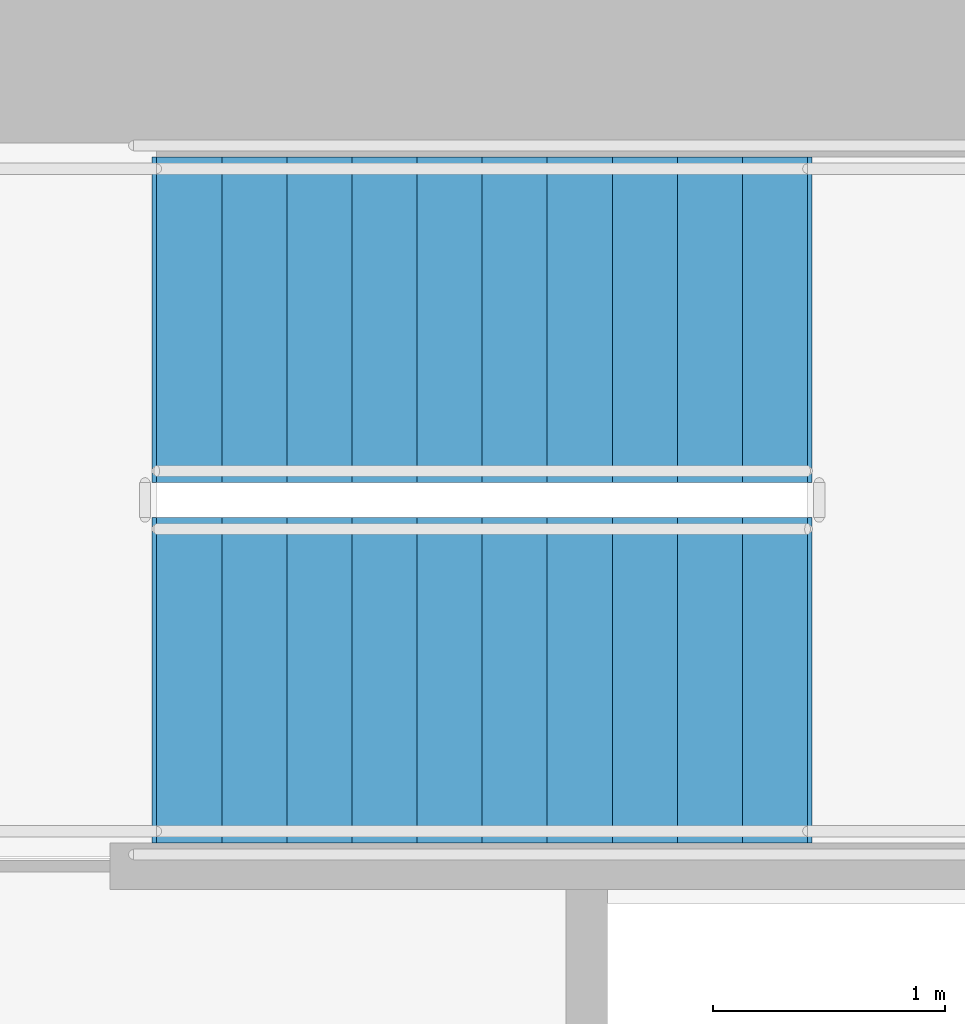
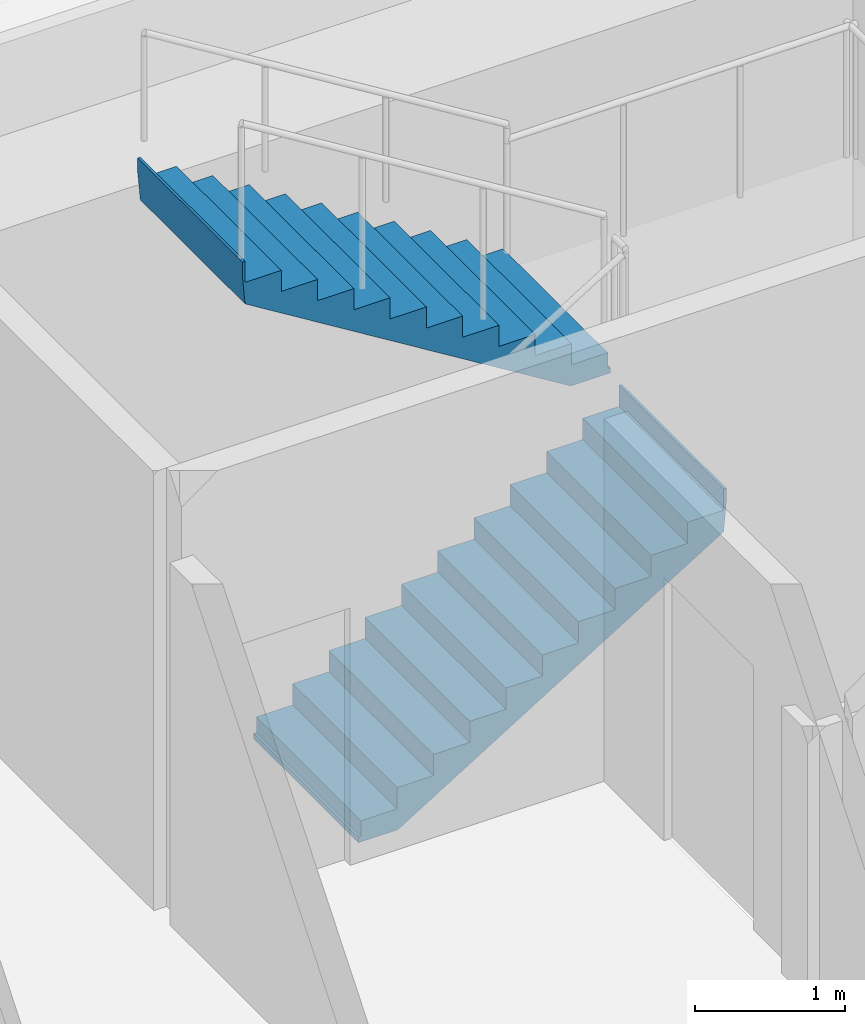
# One storey, part 11 of 17: 2 stair flights, 1 element without a shape of its own.
"""IFC4 building model written with IfcOpenShell, lengths in metres."""

from ifc_helpers import new_model, si_unit, direction, frame, origin, place, context, subcontext, project, spatial, polyline, outline, extrude, material, type_object, element, aggregate, save


model = new_model("IFC4")

# Units and contexts
model_context = context("Model", 3, precision=1e-05, world=origin(), true_north=direction((0.0, 1.0)))
body_context = subcontext(model_context, "Body", "Model", "MODEL_VIEW")
ifc_project = project(units=[si_unit("LENGTHUNIT", "METRE"), si_unit("AREAUNIT", "SQUARE_METRE"), si_unit("VOLUMEUNIT", "CUBIC_METRE"), si_unit("PLANEANGLEUNIT", "RADIAN"), si_unit("MASSUNIT", "GRAM", prefix="KILO")], contexts=[model_context])

# Site, building, storey
site_placement = place(None, origin())
site = spatial("IfcSite", under=ifc_project, at=site_placement, CompositionType="ELEMENT")
building_placement = place(site_placement, origin())
building = spatial("IfcBuilding", under=site, at=building_placement, Name="Valkerne Bourse Tower", CompositionType="ELEMENT")
storey_placement = place(building_placement, frame((0.0, 0.0, 85.800048828125)))
storey = spatial("IfcBuildingStorey", under=building, at=storey_placement, Name="L21", CompositionType="ELEMENT", Elevation=85.800048828125)

# Stair, stair flights
ifc_material = material(Name="Concrete C40/50", Category="concrete")
stair_type = type_object("IfcStairType", Name="ST-CORE-1400", PredefinedType="HALF_TURN_STAIR", material=ifc_material)
stair_placement = place(storey_placement, origin())
stair = element("IfcStair", 1, at=stair_placement, inside=storey, type_object=stair_type, Name="L21 ST-2", PredefinedType="HALF_TURN_STAIR")
stair_flight_type = type_object("IfcStairFlightType", Name="STF-CORE-1400", PredefinedType="STRAIGHT", material=ifc_material)
stair_flight_1_placement = place(storey_placement, frame((48.14990234375, 32.89990234375, 0.0), z_axis=(0.0, 0.0, 1.0), x_axis=(1.0, 0.0, 0.0)))
stair_flight_1 = element("IfcStairFlight", 2, at=stair_flight_1_placement, type_object=stair_flight_type, Name="ST-2 flight 1", NumberOfRisers=11, NumberOfTreads=10, PredefinedType="STRAIGHT", RiserHeight=0.172727273, TreadLength=0.28, context=body_context, shape_type="SweptSolid", body=[
    extrude(outline(polyline([(-0.02001953125, 0.0), (-0.02001953125, 0.044921875), (0.0, 0.044921875), (0.0, 0.172607421875), (0.280029296875, 0.172607421875), (0.280029296875, 0.345458984375), (0.56005859375, 0.345458984375), (0.56005859375, 0.51806640625), (0.840087890625, 0.51806640625), (0.840087890625, 0.69091796875), (1.1201171875, 0.69091796875), (1.1201171875, 0.863525390625), (1.39990234375, 0.863525390625), (1.39990234375, 1.036376953125), (1.679931640625, 1.036376953125), (1.679931640625, 1.208984375), (1.9599609375, 1.208984375), (1.9599609375, 1.3818359375), (2.239990234375, 1.3818359375), (2.239990234375, 1.554443359375), (2.52001953125, 1.554443359375), (2.52001953125, 1.727294921875), (2.800048828125, 1.727294921875), (2.800048828125, 1.89990234375), (2.820068359375, 1.89990234375), (2.820068359375, 1.780029296875), (2.800048828125, 1.551025390625), (0.285400390625, 0.0), (-0.02001953125, 0.0)])), frame((0.0, 0.699951171875, 0.0), z_axis=(0.0, -1.0, 0.0), x_axis=(1.0, 0.0, 0.0)), (0.0, 0.0, 1.0), 1.39990234375),
])
stair_flight_2_placement = place(storey_placement, frame((50.949951171875, 34.449951171875, 1.89990234375), z_axis=(0.0, 0.0, 1.0), x_axis=(-1.0, 0.0, 0.0)))
stair_flight_2 = element("IfcStairFlight", 3, at=stair_flight_2_placement, type_object=stair_flight_type, Name="ST-2 flight 2", NumberOfRisers=11, NumberOfTreads=10, PredefinedType="STRAIGHT", RiserHeight=0.172727273, TreadLength=0.28, context=body_context, shape_type="SweptSolid", body=[
    extrude(outline(polyline([(-0.02001953125, 0.0), (-0.02001953125, 0.044921875), (0.0, 0.044921875), (0.0, 0.172607421875), (0.280029296875, 0.172607421875), (0.280029296875, 0.345458984375), (0.56005859375, 0.345458984375), (0.56005859375, 0.51806640625), (0.840087890625, 0.51806640625), (0.840087890625, 0.69091796875), (1.1201171875, 0.69091796875), (1.1201171875, 0.863525390625), (1.39990234375, 0.863525390625), (1.39990234375, 1.036376953125), (1.679931640625, 1.036376953125), (1.679931640625, 1.208984375), (1.9599609375, 1.208984375), (1.9599609375, 1.3818359375), (2.239990234375, 1.3818359375), (2.239990234375, 1.554443359375), (2.52001953125, 1.554443359375), (2.52001953125, 1.727294921875), (2.800048828125, 1.727294921875), (2.800048828125, 1.89990234375), (2.820068359375, 1.89990234375), (2.820068359375, 1.780029296875), (2.800048828125, 1.551025390625), (0.285400390625, 0.0), (-0.02001953125, 0.0)])), frame((0.0, 0.699951171875, 0.0), z_axis=(0.0, -1.0, 0.0), x_axis=(1.0, 0.0, 0.0)), (0.0, 0.0, 1.0), 1.39990234375),
])
aggregate(stair, [stair_flight_1, stair_flight_2])

save(model, "model.ifc")
